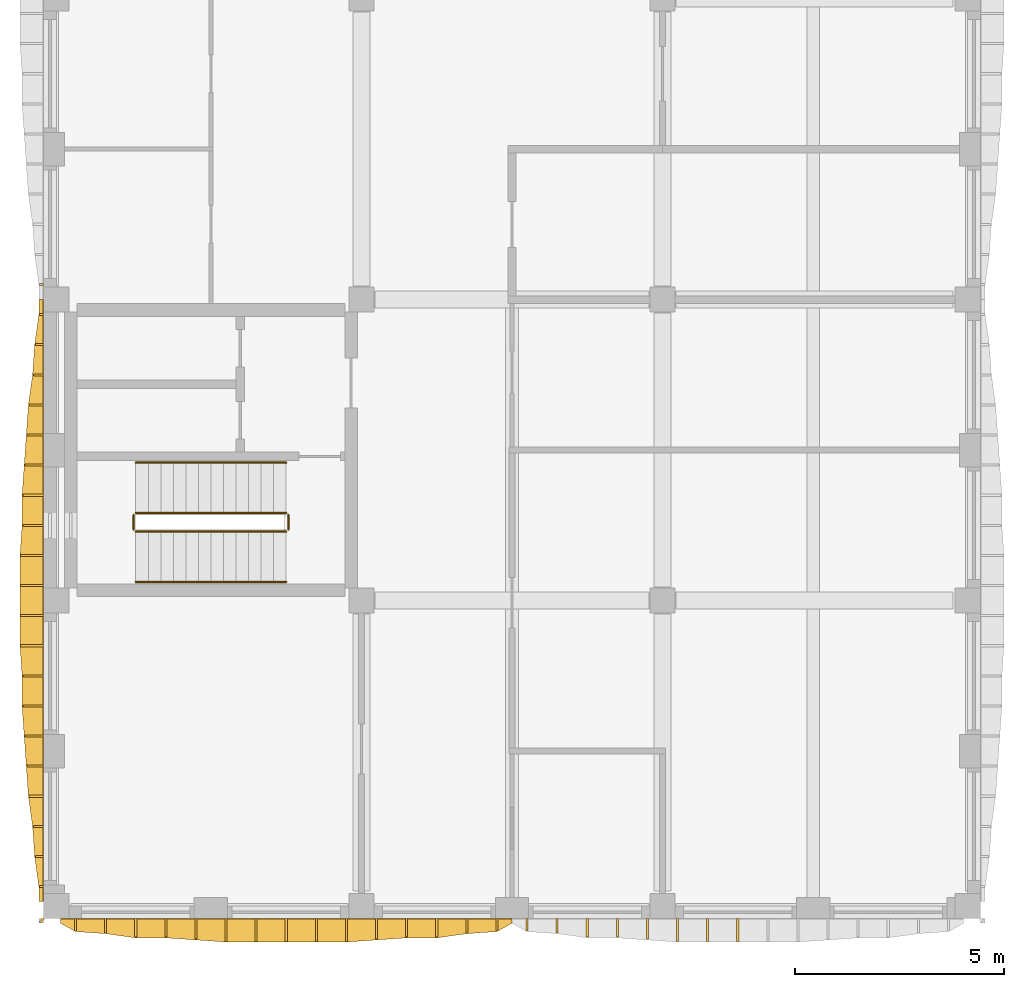
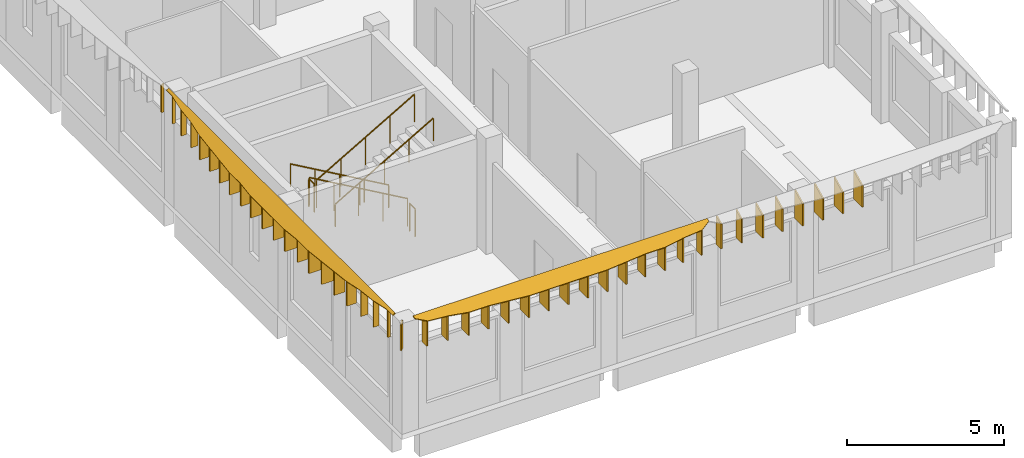
# One storey, part 5 of 10: 47 shading devices, 6 railings.
"""IFC4 building model written with IfcOpenShell, lengths in metres."""

from ifc_helpers import new_model, si_unit, direction, frame, origin, origin_2d, place, context, subcontext, project, spatial, polyline, circle, outline, extrude, material, layer, layer_set, type_object, element, save


model = new_model("IFC4")

# Units and contexts
model_context = context("Model", 3, precision=1e-05, world=origin(), true_north=direction((0.0, 1.0)))
body_context = subcontext(model_context, "Body", "Model", "MODEL_VIEW")
ifc_project = project(units=[si_unit("LENGTHUNIT", "METRE"), si_unit("AREAUNIT", "SQUARE_METRE"), si_unit("VOLUMEUNIT", "CUBIC_METRE"), si_unit("PLANEANGLEUNIT", "RADIAN"), si_unit("MASSUNIT", "GRAM", prefix="KILO")], contexts=[model_context])

# Site, building, storey
site_placement = place(None, origin())
site = spatial("IfcSite", under=ifc_project, at=site_placement, CompositionType="ELEMENT")
building_placement = place(site_placement, origin())
building = spatial("IfcBuilding", under=site, at=building_placement, Name="Ussher Court Research Institute", CompositionType="ELEMENT")
storey_placement = place(building_placement, frame((0.0, 0.0, 36.89990234375)))
storey = spatial("IfcBuildingStorey", under=building, at=storey_placement, Name="L08", CompositionType="ELEMENT", Elevation=36.89990234375)

# Shading devices
ifc_material_1 = material(Name="Bronze anodised aluminium", Category="aluminium")
ifc_layer_1 = layer(ifc_material_1, 0.050048828125)
ifc_layer_set_1 = layer_set([ifc_layer_1], Name="Bronze anodised aluminium")
shading_device_type_1 = type_object("IfcShadingDeviceType", Name="Brim blade 100 mm deep 1100 mm high canted 26 deg wet", PredefinedType="USERDEFINED", material=ifc_layer_set_1)
for number, where, z_axis, x_axis, name in (
    (1, (81.800048828125, 4.360107421875, 3.35009765625), (0.0, 0.0, 1.0), (-1.0, 0.0, 0.0), "Brim blade BS10 L08"),
    (2, (81.800048828125, 18.0400390625, 3.35009765625), (0.0, 0.0, 1.0), (-1.0, 0.0, 0.0), "Brim blade BS10 L08"),
    (3, (81.800048828125, 18.760009765625, 3.35009765625), (0.0, 0.0, 1.0), (-1.0, 0.0, 0.0), "Brim blade BS10 L08"),
):
    element("IfcShadingDevice", number, at=place(storey_placement, frame(where, z_axis=z_axis, x_axis=x_axis)), inside=storey, type_object=shading_device_type_1, Name=name, ObjectType="BLADE", PredefinedType="USERDEFINED", context=body_context, shape_type="SweptSolid", body=[
        extrude(outline(polyline([(0.0, 0.0), (0.10009765625, 0.0), (0.10009765625, 1.05126953125), (0.0, 1.10009765625), (0.0, 0.0)])), frame((0.0, 0.02490234375, 0.0), z_axis=(0.0, -1.0, 0.0), x_axis=(1.0, 0.0, 0.0)), (0.0, 0.0, 1.0), 0.050048828125),
    ])
ifc_material_2 = material(Name="Bronze anodised aluminium", Category="aluminium")
ifc_layer_2 = layer(ifc_material_2, 0.050048828125)
ifc_layer_set_2 = layer_set([ifc_layer_2], Name="Bronze anodised aluminium")
shading_device_type_2 = type_object("IfcShadingDeviceType", Name="Brim blade 200 mm deep 1100 mm high canted 26 deg wet", PredefinedType="USERDEFINED", material=ifc_layer_set_2)
for number, where, z_axis, x_axis, name in (
    (4, (81.800048828125, 5.080078125, 3.35009765625), (0.0, 0.0, 1.0), (-1.0, 0.0, 0.0), "Brim blade BS08 L08"),
    (5, (81.800048828125, 17.320068359375, 3.35009765625), (0.0, 0.0, 1.0), (-1.0, 0.0, 0.0), "Brim blade BS08 L08"),
):
    element("IfcShadingDevice", number, at=place(storey_placement, frame(where, z_axis=z_axis, x_axis=x_axis)), inside=storey, type_object=shading_device_type_2, Name=name, ObjectType="BLADE", PredefinedType="USERDEFINED", context=body_context, shape_type="SweptSolid", body=[
        extrude(outline(polyline([(0.0, 0.0), (0.199951171875, 0.0), (0.199951171875, 1.00244140625), (0.0, 1.10009765625), (0.0, 0.0)])), frame((0.0, 0.02490234375, 0.0), z_axis=(0.0, -1.0, 0.0), x_axis=(1.0, 0.0, 0.0)), (0.0, 0.0, 1.0), 0.050048828125),
    ])
ifc_material_3 = material(Name="Bronze anodised aluminium", Category="aluminium")
ifc_layer_3 = layer(ifc_material_3, 0.050048828125)
ifc_layer_set_3 = layer_set([ifc_layer_3], Name="Bronze anodised aluminium")
shading_device_type_3 = type_object("IfcShadingDeviceType", Name="Brim blade 250 mm deep 1100 mm high canted 26 deg wet", PredefinedType="USERDEFINED", material=ifc_layer_set_3)
for number, where, z_axis, x_axis, name in (
    (6, (81.800048828125, 5.800048828125, 3.35009765625), (0.0, 0.0, 1.0), (-1.0, 0.0, 0.0), "Brim blade BS07 L08"),
    (7, (81.800048828125, 16.60009765625, 3.35009765625), (0.0, 0.0, 1.0), (-1.0, 0.0, 0.0), "Brim blade BS07 L08"),
):
    element("IfcShadingDevice", number, at=place(storey_placement, frame(where, z_axis=z_axis, x_axis=x_axis)), inside=storey, type_object=shading_device_type_3, Name=name, ObjectType="BLADE", PredefinedType="USERDEFINED", context=body_context, shape_type="SweptSolid", body=[
        extrude(outline(polyline([(0.0, 0.0), (0.25, 0.0), (0.25, 0.97802734375), (0.0, 1.10009765625), (0.0, 0.0)])), frame((0.0, 0.02490234375, 0.0), z_axis=(0.0, -1.0, 0.0), x_axis=(1.0, 0.0, 0.0)), (0.0, 0.0, 1.0), 0.050048828125),
    ])
ifc_material_4 = material(Name="Bronze anodised aluminium", Category="aluminium")
ifc_layer_4 = layer(ifc_material_4, 0.050048828125)
ifc_layer_set_4 = layer_set([ifc_layer_4], Name="Bronze anodised aluminium")
shading_device_type_4 = type_object("IfcShadingDeviceType", Name="Brim blade 300 mm deep 1100 mm high canted 26 deg wet", PredefinedType="USERDEFINED", material=ifc_layer_set_4)
for number, where, z_axis, x_axis, name in (
    (8, (93.360107421875, 3.60009765625, 3.35009765625), (0.0, 0.0, 1.0), (0.0, -1.0, 0.0), "Brim blade BS06 L08"),
    (9, (92.639892578125, 3.60009765625, 3.35009765625), (0.0, 0.0, 1.0), (0.0, -1.0, 0.0), "Brim blade BS06 L08"),
    (10, (82.56005859375, 3.60009765625, 3.35009765625), (0.0, 0.0, 1.0), (0.0, -1.0, 0.0), "Brim blade BS06 L08"),
):
    element("IfcShadingDevice", number, at=place(storey_placement, frame(where, z_axis=z_axis, x_axis=x_axis)), inside=storey, type_object=shading_device_type_4, Name=name, ObjectType="BLADE", PredefinedType="USERDEFINED", context=body_context, shape_type="SweptSolid", body=[
        extrude(outline(polyline([(0.0, 0.0), (0.300048828125, 0.0), (0.300048828125, 0.95361328125), (0.0, 1.10009765625), (0.0, 0.0)])), frame((0.0, 0.02490234375, 0.0), z_axis=(0.0, -1.0, 0.0), x_axis=(1.0, 0.0, 0.0)), (0.0, 0.0, 1.0), 0.050048828125),
    ])
ifc_material_5 = material(Name="Bronze anodised aluminium", Category="aluminium")
ifc_layer_5 = layer(ifc_material_5, 0.050048828125)
ifc_layer_set_5 = layer_set([ifc_layer_5], Name="Bronze anodised aluminium")
shading_device_type_5 = type_object("IfcShadingDeviceType", Name="Brim blade 350 mm deep 1100 mm high canted 26 deg wet", PredefinedType="USERDEFINED", material=ifc_layer_set_5)
for number, where, z_axis, x_axis, name in (
    (11, (94.080078125, 3.60009765625, 3.35009765625), (0.0, 0.0, 1.0), (0.0, -1.0, 0.0), "Brim blade BS05 L08"),
    (12, (91.919921875, 3.60009765625, 3.35009765625), (0.0, 0.0, 1.0), (0.0, -1.0, 0.0), "Brim blade BS05 L08"),
    (13, (83.280029296875, 3.60009765625, 3.35009765625), (0.0, 0.0, 1.0), (0.0, -1.0, 0.0), "Brim blade BS05 L08"),
    (14, (81.800048828125, 6.52001953125, 3.35009765625), (0.0, 0.0, 1.0), (-1.0, 0.0, 0.0), "Brim blade BS05 L08"),
    (15, (81.800048828125, 15.8798828125, 3.35009765625), (0.0, 0.0, 1.0), (-1.0, 0.0, 0.0), "Brim blade BS05 L08"),
):
    element("IfcShadingDevice", number, at=place(storey_placement, frame(where, z_axis=z_axis, x_axis=x_axis)), inside=storey, type_object=shading_device_type_5, Name=name, ObjectType="BLADE", PredefinedType="USERDEFINED", context=body_context, shape_type="SweptSolid", body=[
        extrude(outline(polyline([(0.0, 0.0), (0.35009765625, 0.0), (0.35009765625, 0.92919921875), (0.0, 1.10009765625), (0.0, 0.0)])), frame((0.0, 0.02490234375, 0.0), z_axis=(0.0, -1.0, 0.0), x_axis=(1.0, 0.0, 0.0)), (0.0, 0.0, 1.0), 0.050048828125),
    ])
ifc_material_6 = material(Name="Bronze anodised aluminium", Category="aluminium")
ifc_layer_6 = layer(ifc_material_6, 0.050048828125)
ifc_layer_set_6 = layer_set([ifc_layer_6], Name="Bronze anodised aluminium")
shading_device_type_6 = type_object("IfcShadingDeviceType", Name="Brim blade 400 mm deep 1100 mm high canted 26 deg wet", PredefinedType="USERDEFINED", material=ifc_layer_set_6)
for number, where, z_axis, x_axis, name in (
    (16, (81.800048828125, 7.239990234375, 3.35009765625), (0.0, 0.0, 1.0), (-1.0, 0.0, 0.0), "Brim blade BS04 L08"),
    (17, (81.800048828125, 15.159912109375, 3.35009765625), (0.0, 0.0, 1.0), (-1.0, 0.0, 0.0), "Brim blade BS04 L08"),
):
    element("IfcShadingDevice", number, at=place(storey_placement, frame(where, z_axis=z_axis, x_axis=x_axis)), inside=storey, type_object=shading_device_type_6, Name=name, ObjectType="BLADE", PredefinedType="USERDEFINED", context=body_context, shape_type="SweptSolid", body=[
        extrude(outline(polyline([(0.0, 0.0), (0.400146484375, 0.0), (0.39990234375, 0.90478515625), (0.0, 1.10009765625), (0.0, 0.0)])), frame((0.0, 0.02490234375, 0.0), z_axis=(0.0, -1.0, 0.0), x_axis=(1.0, 0.0, 0.0)), (0.0, 0.0, 1.0), 0.050048828125),
    ])
ifc_material_7 = material(Name="Bronze anodised aluminium", Category="aluminium")
ifc_layer_7 = layer(ifc_material_7, 0.050048828125)
ifc_layer_set_7 = layer_set([ifc_layer_7], Name="Bronze anodised aluminium")
shading_device_type_7 = type_object("IfcShadingDeviceType", Name="Brim blade 450 mm deep 1100 mm high canted 26 deg wet", PredefinedType="USERDEFINED", material=ifc_layer_set_7)
for number, where, z_axis, x_axis, name in (
    (18, (95.52001953125, 3.60009765625, 3.35009765625), (0.0, 0.0, 1.0), (0.0, -1.0, 0.0), "Brim blade BS03 L08"),
    (19, (94.800048828125, 3.60009765625, 3.35009765625), (0.0, 0.0, 1.0), (0.0, -1.0, 0.0), "Brim blade BS03 L08"),
    (20, (91.199951171875, 3.60009765625, 3.35009765625), (0.0, 0.0, 1.0), (0.0, -1.0, 0.0), "Brim blade BS03 L08"),
    (21, (90.47998046875, 3.60009765625, 3.35009765625), (0.0, 0.0, 1.0), (0.0, -1.0, 0.0), "Brim blade BS03 L08"),
    (22, (84.719970703125, 3.60009765625, 3.35009765625), (0.0, 0.0, 1.0), (0.0, -1.0, 0.0), "Brim blade BS03 L08"),
    (23, (84.0, 3.60009765625, 3.35009765625), (0.0, 0.0, 1.0), (0.0, -1.0, 0.0), "Brim blade BS03 L08"),
):
    element("IfcShadingDevice", number, at=place(storey_placement, frame(where, z_axis=z_axis, x_axis=x_axis)), inside=storey, type_object=shading_device_type_7, Name=name, ObjectType="BLADE", PredefinedType="USERDEFINED", context=body_context, shape_type="SweptSolid", body=[
        extrude(outline(polyline([(0.0, 0.0), (0.4501953125, 0.0), (0.449951171875, 0.880615234375), (0.0, 1.10009765625), (0.0, 0.0)])), frame((0.0, 0.02490234375, 0.0), z_axis=(0.0, -1.0, 0.0), x_axis=(1.0, 0.0, 0.0)), (0.0, 0.0, 1.0), 0.050048828125),
    ])
for number, where, z_axis, x_axis, name in (
    (24, (81.800048828125, 7.9599609375, 3.35009765625), (0.0, 0.0, 1.0), (-1.0, 0.0, 0.0), "Brim blade BS03 L08"),
    (25, (81.800048828125, 14.43994140625, 3.35009765625), (0.0, 0.0, 1.0), (-1.0, 0.0, 0.0), "Brim blade BS03 L08"),
):
    element("IfcShadingDevice", number, at=place(storey_placement, frame(where, z_axis=z_axis, x_axis=x_axis)), inside=storey, type_object=shading_device_type_7, Name=name, ObjectType="BLADE", PredefinedType="USERDEFINED", context=body_context, shape_type="SweptSolid", body=[
        extrude(outline(polyline([(0.0, 0.0), (0.449951171875, 0.0), (0.449951171875, 0.880615234375), (0.0, 1.10009765625), (0.0, 0.0)])), frame((0.0, 0.02490234375, 0.0), z_axis=(0.0, -1.0, 0.0), x_axis=(1.0, 0.0, 0.0)), (0.0, 0.0, 1.0), 0.050048828125),
    ])
ifc_material_8 = material(Name="Bronze anodised aluminium", Category="aluminium")
ifc_layer_8 = layer(ifc_material_8, 0.050048828125)
ifc_layer_set_8 = layer_set([ifc_layer_8], Name="Bronze anodised aluminium")
shading_device_type_8 = type_object("IfcShadingDeviceType", Name="Brim blade 500 mm deep 1100 mm high canted 26 deg wet", PredefinedType="USERDEFINED", material=ifc_layer_set_8)
for number, where, z_axis, x_axis, name in (
    (26, (96.239990234375, 3.60009765625, 3.35009765625), (0.0, 0.0, 1.0), (0.0, -1.0, 0.0), "Brim blade BS02 L08"),
    (27, (89.760009765625, 3.60009765625, 3.35009765625), (0.0, 0.0, 1.0), (0.0, -1.0, 0.0), "Brim blade BS02 L08"),
    (28, (85.43994140625, 3.60009765625, 3.35009765625), (0.0, 0.0, 1.0), (0.0, -1.0, 0.0), "Brim blade BS02 L08"),
    (29, (81.800048828125, 8.679931640625, 3.35009765625), (0.0, 0.0, 1.0), (-1.0, 0.0, 0.0), "Brim blade BS02 L08"),
    (30, (81.800048828125, 9.39990234375, 3.35009765625), (0.0, 0.0, 1.0), (-1.0, 0.0, 0.0), "Brim blade BS02 L08"),
    (31, (81.800048828125, 13.0, 3.35009765625), (0.0, 0.0, 1.0), (-1.0, 0.0, 0.0), "Brim blade BS02 L08"),
    (32, (81.800048828125, 13.719970703125, 3.35009765625), (0.0, 0.0, 1.0), (-1.0, 0.0, 0.0), "Brim blade BS02 L08"),
):
    element("IfcShadingDevice", number, at=place(storey_placement, frame(where, z_axis=z_axis, x_axis=x_axis)), inside=storey, type_object=shading_device_type_8, Name=name, ObjectType="BLADE", PredefinedType="USERDEFINED", context=body_context, shape_type="SweptSolid", body=[
        extrude(outline(polyline([(0.0, 0.0), (0.5, 0.0), (0.5, 0.856201171875), (0.0, 1.10009765625), (0.0, 0.0)])), frame((0.0, 0.02490234375, 0.0), z_axis=(0.0, -1.0, 0.0), x_axis=(1.0, 0.0, 0.0)), (0.0, 0.0, 1.0), 0.050048828125),
    ])
ifc_material_9 = material(Name="Bronze anodised aluminium", Category="aluminium")
ifc_layer_9 = layer(ifc_material_9, 0.050048828125)
ifc_layer_set_9 = layer_set([ifc_layer_9], Name="Bronze anodised aluminium")
shading_device_type_9 = type_object("IfcShadingDeviceType", Name="Brim blade 550 mm deep 1100 mm high canted 26 deg wet", PredefinedType="USERDEFINED", material=ifc_layer_set_9)
for number, where, z_axis, x_axis, name in (
    (33, (98.39990234375, 3.60009765625, 3.35009765625), (0.0, 0.0, 1.0), (0.0, -1.0, 0.0), "Brim blade BS01 L08"),
    (34, (97.679931640625, 3.60009765625, 3.35009765625), (0.0, 0.0, 1.0), (0.0, -1.0, 0.0), "Brim blade BS01 L08"),
    (35, (96.9599609375, 3.60009765625, 3.35009765625), (0.0, 0.0, 1.0), (0.0, -1.0, 0.0), "Brim blade BS01 L08"),
    (36, (89.0400390625, 3.60009765625, 3.35009765625), (0.0, 0.0, 1.0), (0.0, -1.0, 0.0), "Brim blade BS01 L08"),
    (37, (88.320068359375, 3.60009765625, 3.35009765625), (0.0, 0.0, 1.0), (0.0, -1.0, 0.0), "Brim blade BS01 L08"),
    (38, (87.60009765625, 3.60009765625, 3.35009765625), (0.0, 0.0, 1.0), (0.0, -1.0, 0.0), "Brim blade BS01 L08"),
    (39, (86.8798828125, 3.60009765625, 3.35009765625), (0.0, 0.0, 1.0), (0.0, -1.0, 0.0), "Brim blade BS01 L08"),
    (40, (86.159912109375, 3.60009765625, 3.35009765625), (0.0, 0.0, 1.0), (0.0, -1.0, 0.0), "Brim blade BS01 L08"),
    (41, (81.800048828125, 10.1201171875, 3.35009765625), (0.0, 0.0, 1.0), (-1.0, 0.0, 0.0), "Brim blade BS01 L08"),
    (42, (81.800048828125, 10.840087890625, 3.35009765625), (0.0, 0.0, 1.0), (-1.0, 0.0, 0.0), "Brim blade BS01 L08"),
    (43, (81.800048828125, 11.56005859375, 3.35009765625), (0.0, 0.0, 1.0), (-1.0, 0.0, 0.0), "Brim blade BS01 L08"),
    (44, (81.800048828125, 12.280029296875, 3.35009765625), (0.0, 0.0, 1.0), (-1.0, 0.0, 0.0), "Brim blade BS01 L08"),
):
    element("IfcShadingDevice", number, at=place(storey_placement, frame(where, z_axis=z_axis, x_axis=x_axis)), inside=storey, type_object=shading_device_type_9, Name=name, ObjectType="BLADE", PredefinedType="USERDEFINED", context=body_context, shape_type="SweptSolid", body=[
        extrude(outline(polyline([(0.0, 0.0), (0.550048828125, 0.0), (0.550048828125, 0.831787109375), (0.0, 1.10009765625), (0.0, 0.0)])), frame((0.0, 0.02490234375, 0.0), z_axis=(0.0, -1.0, 0.0), x_axis=(1.0, 0.0, 0.0)), (0.0, 0.0, 1.0), 0.050048828125),
    ])
ifc_material_10 = material(Name="Bronze anodised aluminium", Category="aluminium")
ifc_layer_10 = layer(ifc_material_10, 0.050048828125)
ifc_layer_set_10 = layer_set([ifc_layer_10], Name="Bronze anodised aluminium")
shading_device_type_10 = type_object("IfcShadingDeviceType", Name="Brim mitre blade 100 mm deep 1100 mm high canted 26 deg wet", PredefinedType="USERDEFINED", material=ifc_layer_set_10)
shading_device_1_placement = place(storey_placement, frame((81.800048828125, 3.60009765625, 3.35009765625), z_axis=(0.0, 0.0, 1.0), x_axis=(-0.707106781187, -0.707106781187, 0.0)))
element("IfcShadingDevice", 45, at=shading_device_1_placement, inside=storey, type_object=shading_device_type_10, Name="Brim mitre blade BS18 L08", ObjectType="BLADE", PredefinedType="USERDEFINED", context=body_context, shape_type="SweptSolid", body=[
    extrude(outline(polyline([(0.0, 0.0), (0.1416015625, 0.0), (0.141357421875, 1.00244140625), (0.0, 1.10009765625), (0.0, 0.0)])), frame((0.0, 0.02490234375, 0.0), z_axis=(0.0, -1.0, 0.0), x_axis=(1.0, 0.0, 0.0)), (0.0, 0.0, 1.0), 0.050048828125),
])
ifc_material_11 = material(Name="Bronze anodised aluminium", Category="aluminium")
ifc_layer_11 = layer(ifc_material_11, 0.0400390625)
ifc_layer_set_11 = layer_set([ifc_layer_11], Name="Bronze anodised aluminium")
shading_device_type_11 = type_object("IfcShadingDeviceType", Name="Brim visor sheet 40 mm canted 26 deg wet", PredefinedType="USERDEFINED", material=ifc_layer_set_11)
shading_device_2_placement = place(storey_placement, frame((93.0, 3.58251953125, 4.486083984375), z_axis=(0.0, -0.438461416816, 0.898750013054), x_axis=(-1.0, 0.0, 0.0)))
element("IfcShadingDevice", 46, at=shading_device_2_placement, inside=storey, type_object=shading_device_type_11, Name="Brim visor sheet BR1 L08", ObjectType="BRIM", PredefinedType="USERDEFINED", context=body_context, shape_type="SweptSolid", body=[
    extrude(outline(polyline([(0.0, 0.0), (10.800048828125, 0.0), (10.800048828125, 0.1113720187292832), (10.43994140625, 0.33389663479794396), (9.719970703125, 0.38958264416258553), (9.0, 0.5006281952576233), (8.280029296875, 0.5006281952576233), (7.56005859375, 0.5563142046222649), (6.840087890625, 0.6120002139869065), (6.1201171875, 0.6120002139869065), (5.39990234375, 0.6120002139869065), (4.679931640625, 0.6120002139869065), (3.9599609375, 0.6120002139869065), (3.239990234375, 0.5563142046222649), (2.52001953125, 0.5006281952576233), (1.800048828125, 0.5006281952576233), (1.080078125, 0.38958264416258553), (0.360107421875, 0.33389663479794396), (0.0, 0.1113720187292832), (0.0, 0.0)])), origin(), (0.0, 0.0, -1.0), 0.0400390625),
])
shading_device_3_placement = place(storey_placement, frame((81.782470703125, 4.0, 4.486083984375), z_axis=(-0.438529187419, 0.0, 0.898716947532), x_axis=(0.0, 1.0, 0.0)))
element("IfcShadingDevice", 47, at=shading_device_3_placement, inside=storey, type_object=shading_device_type_11, Name="Brim visor sheet BR1 L08", ObjectType="BRIM", PredefinedType="USERDEFINED", context=body_context, shape_type="SweptSolid", body=[
    extrude(outline(polyline([(0.0, 0.0), (14.39990234375, 0.0), (14.39990234375, 0.11115260474230423), (14.0400390625, 0.11115260474230423), (13.320068359375, 0.22252462280187707), (12.60009765625, 0.2782106318316635), (11.8798828125, 0.38936323657396776), (11.159912109375, 0.4449421828138569), (10.43994140625, 0.5006281918436433), (9.719970703125, 0.5563142008734296), (9.0, 0.5563142008734296), (8.280029296875, 0.6120002099032161), (7.56005859375, 0.6120002099032161), (6.840087890625, 0.6120002099032161), (6.1201171875, 0.6120002099032161), (5.39990234375, 0.5563142008734296), (4.679931640625, 0.5563142008734296), (3.9599609375, 0.5006281918436433), (3.239990234375, 0.4449421828138569), (2.52001953125, 0.38936323657396776), (1.800048828125, 0.2782106318316635), (1.080078125, 0.22252462280187707), (0.360107421875, 0.11115260474230423), (0.0, 0.11115260474230423), (0.0, 0.0)])), origin(), (0.0, 0.0, -1.0), 0.0400390625),
])

# Railings
ifc_material_12 = material(Name="Painted steel balustrade", Category="steel")
railing_type_1 = type_object("IfcRailingType", Name="Stair guard 1100 steel balustrade", PredefinedType="GUARDRAIL", material=ifc_material_12)
railing_1_placement = place(storey_placement, frame((87.60009765625, 13.300048828125, 0.173095703125)))
element("IfcRailing", 48, at=railing_1_placement, inside=storey, type_object=railing_type_1, Name="L08 T2 stair guard 1", PredefinedType="GUARDRAIL", context=body_context, shape_type="SweptSolid", body=[
    extrude(circle(Radius=0.02392578125, at=origin_2d()), frame((0.0, 0.0, 1.076171875), z_axis=(-0.866193409371, 0.0, 0.499708892819), x_axis=(0.0, -1.0, 0.0)), (0.0, 0.0, 1.0), 4.15625),
    extrude(circle(Radius=0.02099609375, at=origin_2d()), origin(), (0.0, 0.0, 1.0), 1.052001953125),
    extrude(circle(Radius=0.02099609375, at=origin_2d()), frame((-0.89990234375, 0.0, 0.519287109375)), (0.0, 0.0, 1.0), 1.052001953125),
    extrude(circle(Radius=0.02099609375, at=origin_2d()), frame((-1.800048828125, 0.0, 1.03857421875)), (0.0, 0.0, 1.0), 1.052001953125),
    extrude(circle(Radius=0.02099609375, at=origin_2d()), frame((-2.7001953125, 0.0, 1.5576171875)), (0.0, 0.0, 1.0), 1.052001953125),
    extrude(circle(Radius=0.02099609375, at=origin_2d()), frame((-3.60009765625, 0.0, 2.076904296875)), (0.0, 0.0, 1.0), 1.052001953125),
])
railing_2_placement = place(storey_placement, frame((83.949951171875, 13.25, 2.25)))
element("IfcRailing", 49, at=railing_2_placement, inside=storey, type_object=railing_type_1, Name="L08 T2 stair guard 2", PredefinedType="GUARDRAIL", context=body_context, shape_type="SweptSolid", body=[
    extrude(circle(Radius=0.02392578125, at=origin_2d()), frame((0.0, 0.0, 1.076171875), z_axis=(0.0, -1.0, 0.0), x_axis=(1.0, 0.0, 0.0)), (0.0, 0.0, 1.0), 0.35009765625),
    extrude(circle(Radius=0.02099609375, at=origin_2d()), origin(), (0.0, 0.0, 1.0), 1.052001953125),
    extrude(circle(Radius=0.02099609375, at=origin_2d()), frame((0.0, -0.35009765625, 0.0)), (0.0, 0.0, 1.0), 1.052001953125),
])
railing_3_placement = place(storey_placement, frame((84.0, 12.85009765625, 2.423095703125)))
element("IfcRailing", 50, at=railing_3_placement, inside=storey, type_object=railing_type_1, Name="L08 T2 stair guard 3", PredefinedType="GUARDRAIL", context=body_context, shape_type="SweptSolid", body=[
    extrude(circle(Radius=0.02392578125, at=origin_2d()), frame((0.0, 0.0, 1.076171875), z_axis=(0.866193409371, 0.0, 0.499708892819), x_axis=(0.0, 1.0, 0.0)), (0.0, 0.0, 1.0), 4.15625),
    extrude(circle(Radius=0.02099609375, at=origin_2d()), origin(), (0.0, 0.0, 1.0), 1.052001953125),
    extrude(circle(Radius=0.02099609375, at=origin_2d()), frame((0.89990234375, 0.0, 0.519287109375)), (0.0, 0.0, 1.0), 1.052001953125),
    extrude(circle(Radius=0.02099609375, at=origin_2d()), frame((1.800048828125, 0.0, 1.03857421875)), (0.0, 0.0, 1.0), 1.052001953125),
    extrude(circle(Radius=0.02099609375, at=origin_2d()), frame((2.7001953125, 0.0, 1.5576171875)), (0.0, 0.0, 1.0), 1.052001953125),
    extrude(circle(Radius=0.02099609375, at=origin_2d()), frame((3.60009765625, 0.0, 2.076904296875)), (0.0, 0.0, 1.0), 1.052001953125),
])
railing_4_placement = place(storey_placement, frame((87.64990234375, 13.25, 0.0)))
element("IfcRailing", 51, at=railing_4_placement, inside=storey, type_object=railing_type_1, Name="L08 T2 stair guard 4", PredefinedType="GUARDRAIL", context=body_context, shape_type="SweptSolid", body=[
    extrude(circle(Radius=0.02392578125, at=origin_2d()), frame((0.0, 0.0, 1.076171875), z_axis=(0.0, -1.0, 0.0), x_axis=(1.0, 0.0, 0.0)), (0.0, 0.0, 1.0), 0.35009765625),
    extrude(circle(Radius=0.02099609375, at=origin_2d()), origin(), (0.0, 0.0, 1.0), 1.052001953125),
    extrude(circle(Radius=0.02099609375, at=origin_2d()), frame((0.0, -0.35009765625, 0.0)), (0.0, 0.0, 1.0), 1.052001953125),
])
ifc_material_13 = material(Name="Painted steel handrail", Category="steel")
railing_type_2 = type_object("IfcRailingType", Name="Stair handrail 900 steel", PredefinedType="HANDRAIL", material=ifc_material_13)
railing_5_placement = place(storey_placement, frame((87.60009765625, 14.5, 0.173095703125)))
element("IfcRailing", 52, at=railing_5_placement, inside=storey, type_object=railing_type_2, Name="L08 T2 stair handrail 1", PredefinedType="HANDRAIL", context=body_context, shape_type="SweptSolid", body=[
    extrude(circle(Radius=0.02392578125, at=origin_2d()), frame((0.0, 0.0, 0.8759765625), z_axis=(-0.866193409371, 0.0, 0.499708892819), x_axis=(0.0, -1.0, 0.0)), (0.0, 0.0, 1.0), 4.15625),
    extrude(circle(Radius=0.02099609375, at=origin_2d()), origin(), (0.0, 0.0, 1.0), 0.851806640625),
    extrude(circle(Radius=0.02099609375, at=origin_2d()), frame((-0.89990234375, 0.0, 0.519287109375)), (0.0, 0.0, 1.0), 0.851806640625),
    extrude(circle(Radius=0.02099609375, at=origin_2d()), frame((-1.800048828125, 0.0, 1.03857421875)), (0.0, 0.0, 1.0), 0.851806640625),
    extrude(circle(Radius=0.02099609375, at=origin_2d()), frame((-2.7001953125, 0.0, 1.5576171875)), (0.0, 0.0, 1.0), 0.851806640625),
    extrude(circle(Radius=0.02099609375, at=origin_2d()), frame((-3.60009765625, 0.0, 2.076904296875)), (0.0, 0.0, 1.0), 0.851806640625),
])
railing_6_placement = place(storey_placement, frame((84.0, 11.64990234375, 2.423095703125)))
element("IfcRailing", 53, at=railing_6_placement, inside=storey, type_object=railing_type_2, Name="L08 T2 stair handrail 2", PredefinedType="HANDRAIL", context=body_context, shape_type="SweptSolid", body=[
    extrude(circle(Radius=0.02392578125, at=origin_2d()), frame((0.0, 0.0, 0.8759765625), z_axis=(0.866193409371, 0.0, 0.499708892819), x_axis=(0.0, 1.0, 0.0)), (0.0, 0.0, 1.0), 4.15625),
    extrude(circle(Radius=0.02099609375, at=origin_2d()), origin(), (0.0, 0.0, 1.0), 0.851806640625),
    extrude(circle(Radius=0.02099609375, at=origin_2d()), frame((0.89990234375, 0.0, 0.519287109375)), (0.0, 0.0, 1.0), 0.851806640625),
    extrude(circle(Radius=0.02099609375, at=origin_2d()), frame((1.800048828125, 0.0, 1.03857421875)), (0.0, 0.0, 1.0), 0.851806640625),
    extrude(circle(Radius=0.02099609375, at=origin_2d()), frame((2.7001953125, 0.0, 1.5576171875)), (0.0, 0.0, 1.0), 0.851806640625),
    extrude(circle(Radius=0.02099609375, at=origin_2d()), frame((3.60009765625, 0.0, 2.076904296875)), (0.0, 0.0, 1.0), 0.851806640625),
])

save(model, "model.ifc")
